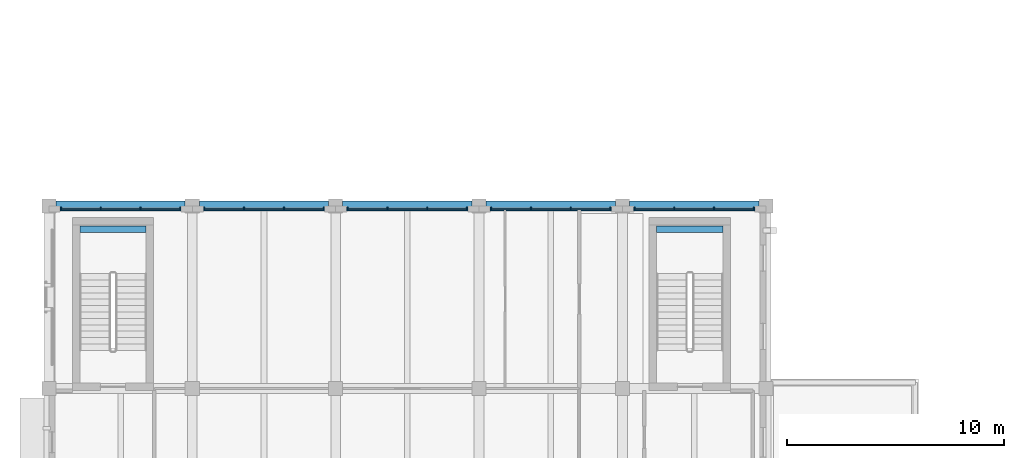
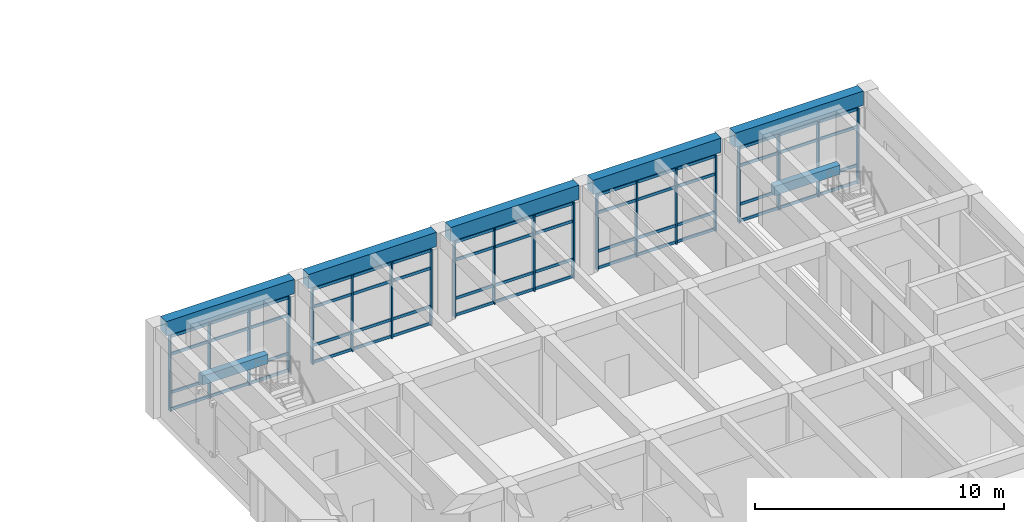
# One storey, part 6 of 50: 40 members, 7 beams, 5 elements without a shape of their own.
"""IFC4 building model written with IfcOpenShell, lengths in metres."""

from ifc_helpers import new_model, si_unit, direction, frame, origin, origin_2d, place, context, subcontext, project, spatial, rectangle, extrude, material, layer, layer_set, material_profile, profile_set, type_object, element, aggregate, save


model = new_model("IFC4")

# Units and contexts
model_context = context("Model", 3, precision=1e-05, world=origin(), true_north=direction((0.0, 1.0)))
body_context = subcontext(model_context, "Body", "Model", "MODEL_VIEW")
ifc_project = project(units=[si_unit("LENGTHUNIT", "METRE"), si_unit("AREAUNIT", "SQUARE_METRE"), si_unit("VOLUMEUNIT", "CUBIC_METRE"), si_unit("PLANEANGLEUNIT", "RADIAN"), si_unit("MASSUNIT", "GRAM", prefix="KILO")], contexts=[model_context])

# Site, building, storey
site_placement = place(None, origin())
site = spatial("IfcSite", under=ifc_project, at=site_placement, CompositionType="ELEMENT")
building_placement = place(site_placement, origin())
building = spatial("IfcBuilding", under=site, at=building_placement, Name="Kolvaren Faculty of Natural Sciences", CompositionType="ELEMENT")
storey_placement = place(building_placement, frame((0.0, 0.0, 15.0)))
storey = spatial("IfcBuildingStorey", under=building, at=storey_placement, Name="L03", CompositionType="ELEMENT", Elevation=15.0)

# Beams
ifc_material_1 = material(Name="Concrete C40/50", Category="concrete")
ifc_material_profile_1 = material_profile(ifc_material_1, rectangle(XDim=0.300048828125, YDim=0.449951171875, at=origin_2d()), Name="RC LNT 300x450")
ifc_profile_set_1 = profile_set([ifc_material_profile_1], Name="Concrete C40/50")
beam_type_1 = type_object("IfcBeamType", Name="CoreCouplingLintel_300x450", PredefinedType="LINTEL", material=ifc_profile_set_1)
beam_1_placement = place(storey_placement, frame((34.77490234375, 41.1298828125, 1.824951171875), z_axis=(1.0, 0.0, 0.0), x_axis=(0.0, 1.0, 0.0)))
element("IfcBeam", 1, at=beam_1_placement, inside=storey, type_object=beam_type_1, Name="L03 ST-4 half-landing support lintel", PredefinedType="LINTEL", context=body_context, shape_type="SweptSolid", body=[
    extrude(rectangle(XDim=0.300048828125, YDim=0.449951171875, at=origin_2d()), origin(), (0.0, 0.0, 1.0), 3.050048828125),
])
beam_2_placement = place(storey_placement, frame((8.22509765625, 41.1298828125, 1.824951171875), z_axis=(1.0, 0.0, 0.0), x_axis=(0.0, 1.0, 0.0)))
element("IfcBeam", 2, at=beam_2_placement, inside=storey, type_object=beam_type_1, Name="L03 ST-8 half-landing support lintel", PredefinedType="LINTEL", context=body_context, shape_type="SweptSolid", body=[
    extrude(rectangle(XDim=0.300048828125, YDim=0.449951171875, at=origin_2d()), origin(), (0.0, 0.0, 1.0), 3.0498046875),
])

# Curtain wall, members
ifc_material_2 = material(Name="Thermally broken anodised aluminium framing", Category="aluminium")
ifc_layer = layer(ifc_material_2, 0.179931640625)
ifc_layer_set = layer_set([ifc_layer], Name="Thermally broken anodised aluminium framing")
curtain_wall_type = type_object("IfcCurtainWallType", Name="CommonsCurtainWall_CW02", PredefinedType="NOTDEFINED", material=ifc_layer_set)
curtain_wall_1_placement = place(storey_placement, origin())
curtain_wall_1 = element("IfcCurtainWall", 3, at=curtain_wall_1_placement, inside=storey, type_object=curtain_wall_type, Name="L03 unitised curtain wall CW-02 (CW-L03-133)", PredefinedType="NOTDEFINED")
ifc_material_profile_2 = material_profile(ifc_material_2, rectangle(XDim=0.06005859375, YDim=0.179931640625, at=origin_2d()), Name="ALU MUL 60x180")
ifc_profile_set_2 = profile_set([ifc_material_profile_2], Name="Thermally broken anodised aluminium framing")
member_type_1 = type_object("IfcMemberType", Name="CurtainMullion_60x180", PredefinedType="MULLION", material=ifc_profile_set_2)
member_1_placement = place(storey_placement, frame((7.35009765625, 42.06005859375, 0.0), z_axis=(0.0, 0.0, 1.0), x_axis=(1.0, 0.0, 0.0)))
member_1 = element("IfcMember", 4, at=member_1_placement, type_object=member_type_1, Name="CW-L03-133 vertical mullion 1", PredefinedType="MULLION", context=body_context, shape_type="SweptSolid", body=[
    extrude(rectangle(XDim=0.06005859375, YDim=0.179931640625, at=origin_2d()), origin(), (0.0, 0.0, 1.0), 3.735107421875),
])
member_2_placement = place(storey_placement, frame((9.183349609375, 42.06005859375, 0.0), z_axis=(0.0, 0.0, 1.0), x_axis=(1.0, 0.0, 0.0)))
member_2 = element("IfcMember", 5, at=member_2_placement, type_object=member_type_1, Name="CW-L03-133 vertical mullion 2", PredefinedType="MULLION", context=body_context, shape_type="SweptSolid", body=[
    extrude(rectangle(XDim=0.06005859375, YDim=0.179931640625, at=origin_2d()), origin(), (0.0, 0.0, 1.0), 3.735107421875),
])
member_3_placement = place(storey_placement, frame((11.0166015625, 42.06005859375, 0.0), z_axis=(0.0, 0.0, 1.0), x_axis=(1.0, 0.0, 0.0)))
member_3 = element("IfcMember", 6, at=member_3_placement, type_object=member_type_1, Name="CW-L03-133 vertical mullion 3", PredefinedType="MULLION", context=body_context, shape_type="SweptSolid", body=[
    extrude(rectangle(XDim=0.06005859375, YDim=0.179931640625, at=origin_2d()), origin(), (0.0, 0.0, 1.0), 3.735107421875),
])
member_4_placement = place(storey_placement, frame((12.85009765625, 42.06005859375, 0.0), z_axis=(0.0, 0.0, 1.0), x_axis=(1.0, 0.0, 0.0)))
member_4 = element("IfcMember", 7, at=member_4_placement, type_object=member_type_1, Name="CW-L03-133 vertical mullion 4", PredefinedType="MULLION", context=body_context, shape_type="SweptSolid", body=[
    extrude(rectangle(XDim=0.06005859375, YDim=0.179931640625, at=origin_2d()), origin(), (0.0, 0.0, 1.0), 3.735107421875),
])

curtain_wall_2_placement = place(storey_placement, origin())
curtain_wall_2 = element("IfcCurtainWall", 8, at=curtain_wall_2_placement, inside=storey, type_object=curtain_wall_type, Name="L03 unitised curtain wall CW-02 (CW-L03-134)", PredefinedType="NOTDEFINED")
member_5_placement = place(storey_placement, frame((13.949951171875, 42.06005859375, 0.0), z_axis=(0.0, 0.0, 1.0), x_axis=(1.0, 0.0, 0.0)))
member_5 = element("IfcMember", 9, at=member_5_placement, type_object=member_type_1, Name="CW-L03-134 vertical mullion 1", PredefinedType="MULLION", context=body_context, shape_type="SweptSolid", body=[
    extrude(rectangle(XDim=0.06005859375, YDim=0.179931640625, at=origin_2d()), origin(), (0.0, 0.0, 1.0), 3.735107421875),
])
member_6_placement = place(storey_placement, frame((15.783203125, 42.06005859375, 0.0), z_axis=(0.0, 0.0, 1.0), x_axis=(1.0, 0.0, 0.0)))
member_6 = element("IfcMember", 10, at=member_6_placement, type_object=member_type_1, Name="CW-L03-134 vertical mullion 2", PredefinedType="MULLION", context=body_context, shape_type="SweptSolid", body=[
    extrude(rectangle(XDim=0.06005859375, YDim=0.179931640625, at=origin_2d()), origin(), (0.0, 0.0, 1.0), 3.735107421875),
])
member_7_placement = place(storey_placement, frame((17.61669921875, 42.06005859375, 0.0), z_axis=(0.0, 0.0, 1.0), x_axis=(1.0, 0.0, 0.0)))
member_7 = element("IfcMember", 11, at=member_7_placement, type_object=member_type_1, Name="CW-L03-134 vertical mullion 3", PredefinedType="MULLION", context=body_context, shape_type="SweptSolid", body=[
    extrude(rectangle(XDim=0.06005859375, YDim=0.179931640625, at=origin_2d()), origin(), (0.0, 0.0, 1.0), 3.735107421875),
])
member_8_placement = place(storey_placement, frame((19.449951171875, 42.06005859375, 0.0), z_axis=(0.0, 0.0, 1.0), x_axis=(1.0, 0.0, 0.0)))
member_8 = element("IfcMember", 12, at=member_8_placement, type_object=member_type_1, Name="CW-L03-134 vertical mullion 4", PredefinedType="MULLION", context=body_context, shape_type="SweptSolid", body=[
    extrude(rectangle(XDim=0.06005859375, YDim=0.179931640625, at=origin_2d()), origin(), (0.0, 0.0, 1.0), 3.735107421875),
])

curtain_wall_3_placement = place(storey_placement, origin())
curtain_wall_3 = element("IfcCurtainWall", 13, at=curtain_wall_3_placement, inside=storey, type_object=curtain_wall_type, Name="L03 unitised curtain wall CW-02 (CW-L03-135)", PredefinedType="NOTDEFINED")
member_9_placement = place(storey_placement, frame((20.550048828125, 42.06005859375, 0.0), z_axis=(0.0, 0.0, 1.0), x_axis=(1.0, 0.0, 0.0)))
member_9 = element("IfcMember", 14, at=member_9_placement, type_object=member_type_1, Name="CW-L03-135 vertical mullion 1", PredefinedType="MULLION", context=body_context, shape_type="SweptSolid", body=[
    extrude(rectangle(XDim=0.06005859375, YDim=0.179931640625, at=origin_2d()), origin(), (0.0, 0.0, 1.0), 3.735107421875),
])
member_10_placement = place(storey_placement, frame((22.38330078125, 42.06005859375, 0.0), z_axis=(0.0, 0.0, 1.0), x_axis=(1.0, 0.0, 0.0)))
member_10 = element("IfcMember", 15, at=member_10_placement, type_object=member_type_1, Name="CW-L03-135 vertical mullion 2", PredefinedType="MULLION", context=body_context, shape_type="SweptSolid", body=[
    extrude(rectangle(XDim=0.06005859375, YDim=0.179931640625, at=origin_2d()), origin(), (0.0, 0.0, 1.0), 3.735107421875),
])
member_11_placement = place(storey_placement, frame((24.216796875, 42.06005859375, 0.0), z_axis=(0.0, 0.0, 1.0), x_axis=(1.0, 0.0, 0.0)))
member_11 = element("IfcMember", 16, at=member_11_placement, type_object=member_type_1, Name="CW-L03-135 vertical mullion 3", PredefinedType="MULLION", context=body_context, shape_type="SweptSolid", body=[
    extrude(rectangle(XDim=0.06005859375, YDim=0.179931640625, at=origin_2d()), origin(), (0.0, 0.0, 1.0), 3.735107421875),
])
member_12_placement = place(storey_placement, frame((26.050048828125, 42.06005859375, 0.0), z_axis=(0.0, 0.0, 1.0), x_axis=(1.0, 0.0, 0.0)))
member_12 = element("IfcMember", 17, at=member_12_placement, type_object=member_type_1, Name="CW-L03-135 vertical mullion 4", PredefinedType="MULLION", context=body_context, shape_type="SweptSolid", body=[
    extrude(rectangle(XDim=0.06005859375, YDim=0.179931640625, at=origin_2d()), origin(), (0.0, 0.0, 1.0), 3.735107421875),
])

curtain_wall_4_placement = place(storey_placement, origin())
curtain_wall_4 = element("IfcCurtainWall", 18, at=curtain_wall_4_placement, inside=storey, type_object=curtain_wall_type, Name="L03 unitised curtain wall CW-02 (CW-L03-136)", PredefinedType="NOTDEFINED")
member_13_placement = place(storey_placement, frame((27.14990234375, 42.06005859375, 0.0), z_axis=(0.0, 0.0, 1.0), x_axis=(1.0, 0.0, 0.0)))
member_13 = element("IfcMember", 19, at=member_13_placement, type_object=member_type_1, Name="CW-L03-136 vertical mullion 1", PredefinedType="MULLION", context=body_context, shape_type="SweptSolid", body=[
    extrude(rectangle(XDim=0.06005859375, YDim=0.179931640625, at=origin_2d()), origin(), (0.0, 0.0, 1.0), 3.735107421875),
])
member_14_placement = place(storey_placement, frame((28.9833984375, 42.06005859375, 0.0), z_axis=(0.0, 0.0, 1.0), x_axis=(1.0, 0.0, 0.0)))
member_14 = element("IfcMember", 20, at=member_14_placement, type_object=member_type_1, Name="CW-L03-136 vertical mullion 2", PredefinedType="MULLION", context=body_context, shape_type="SweptSolid", body=[
    extrude(rectangle(XDim=0.06005859375, YDim=0.179931640625, at=origin_2d()), origin(), (0.0, 0.0, 1.0), 3.735107421875),
])
member_15_placement = place(storey_placement, frame((30.816650390625, 42.06005859375, 0.0), z_axis=(0.0, 0.0, 1.0), x_axis=(1.0, 0.0, 0.0)))
member_15 = element("IfcMember", 21, at=member_15_placement, type_object=member_type_1, Name="CW-L03-136 vertical mullion 3", PredefinedType="MULLION", context=body_context, shape_type="SweptSolid", body=[
    extrude(rectangle(XDim=0.06005859375, YDim=0.179931640625, at=origin_2d()), origin(), (0.0, 0.0, 1.0), 3.735107421875),
])
member_16_placement = place(storey_placement, frame((32.64990234375, 42.06005859375, 0.0), z_axis=(0.0, 0.0, 1.0), x_axis=(1.0, 0.0, 0.0)))
member_16 = element("IfcMember", 22, at=member_16_placement, type_object=member_type_1, Name="CW-L03-136 vertical mullion 4", PredefinedType="MULLION", context=body_context, shape_type="SweptSolid", body=[
    extrude(rectangle(XDim=0.06005859375, YDim=0.179931640625, at=origin_2d()), origin(), (0.0, 0.0, 1.0), 3.735107421875),
])

curtain_wall_5_placement = place(storey_placement, origin())
curtain_wall_5 = element("IfcCurtainWall", 23, at=curtain_wall_5_placement, inside=storey, type_object=curtain_wall_type, Name="L03 unitised curtain wall CW-02 (CW-L03-137)", PredefinedType="NOTDEFINED")
member_17_placement = place(storey_placement, frame((33.75, 42.06005859375, 0.0), z_axis=(0.0, 0.0, 1.0), x_axis=(1.0, 0.0, 0.0)))
member_17 = element("IfcMember", 24, at=member_17_placement, type_object=member_type_1, Name="CW-L03-137 vertical mullion 1", PredefinedType="MULLION", context=body_context, shape_type="SweptSolid", body=[
    extrude(rectangle(XDim=0.06005859375, YDim=0.179931640625, at=origin_2d()), origin(), (0.0, 0.0, 1.0), 3.735107421875),
])
member_18_placement = place(storey_placement, frame((35.583251953125, 42.06005859375, 0.0), z_axis=(0.0, 0.0, 1.0), x_axis=(1.0, 0.0, 0.0)))
member_18 = element("IfcMember", 25, at=member_18_placement, type_object=member_type_1, Name="CW-L03-137 vertical mullion 2", PredefinedType="MULLION", context=body_context, shape_type="SweptSolid", body=[
    extrude(rectangle(XDim=0.06005859375, YDim=0.179931640625, at=origin_2d()), origin(), (0.0, 0.0, 1.0), 3.735107421875),
])
member_19_placement = place(storey_placement, frame((37.416748046875, 42.06005859375, 0.0), z_axis=(0.0, 0.0, 1.0), x_axis=(1.0, 0.0, 0.0)))
member_19 = element("IfcMember", 26, at=member_19_placement, type_object=member_type_1, Name="CW-L03-137 vertical mullion 3", PredefinedType="MULLION", context=body_context, shape_type="SweptSolid", body=[
    extrude(rectangle(XDim=0.06005859375, YDim=0.179931640625, at=origin_2d()), origin(), (0.0, 0.0, 1.0), 3.735107421875),
])
member_20_placement = place(storey_placement, frame((39.25, 42.06005859375, 0.0), z_axis=(0.0, 0.0, 1.0), x_axis=(1.0, 0.0, 0.0)))
member_20 = element("IfcMember", 27, at=member_20_placement, type_object=member_type_1, Name="CW-L03-137 vertical mullion 4", PredefinedType="MULLION", context=body_context, shape_type="SweptSolid", body=[
    extrude(rectangle(XDim=0.06005859375, YDim=0.179931640625, at=origin_2d()), origin(), (0.0, 0.0, 1.0), 3.735107421875),
])

# Member
ifc_material_profile_3 = material_profile(ifc_material_2, rectangle(XDim=0.06005859375, YDim=0.139892578125, at=origin_2d()), Name="ALU TRN 60x140")
ifc_profile_set_3 = profile_set([ifc_material_profile_3], Name="Thermally broken anodised aluminium framing")
member_type_2 = type_object("IfcMemberType", Name="CurtainTransom_60x140", PredefinedType="USERDEFINED", material=ifc_profile_set_3)
member_21_placement = place(storey_placement, frame((7.35009765625, 42.06005859375, 0.080078125), z_axis=(1.0, 0.0, 0.0), x_axis=(0.0, 1.0, 0.0)))
member_21 = element("IfcMember", 28, at=member_21_placement, type_object=member_type_2, Name="CW-L03-133 horizontal transom 1", ObjectType="TRANSOM", PredefinedType="USERDEFINED", context=body_context, shape_type="SweptSolid", body=[
    extrude(rectangle(XDim=0.06005859375, YDim=0.139892578125, at=origin_2d()), origin(), (0.0, 0.0, 1.0), 5.5),
])

member_22_placement = place(storey_placement, frame((7.35009765625, 42.06005859375, 0.89990234375), z_axis=(1.0, 0.0, 0.0), x_axis=(0.0, 1.0, 0.0)))
member_22 = element("IfcMember", 29, at=member_22_placement, type_object=member_type_2, Name="CW-L03-133 horizontal transom 2", ObjectType="TRANSOM", PredefinedType="USERDEFINED", context=body_context, shape_type="SweptSolid", body=[
    extrude(rectangle(XDim=0.06005859375, YDim=0.139892578125, at=origin_2d()), origin(), (0.0, 0.0, 1.0), 5.5),
])

member_23_placement = place(storey_placement, frame((7.35009765625, 42.06005859375, 2.784912109375), z_axis=(1.0, 0.0, 0.0), x_axis=(0.0, 1.0, 0.0)))
member_23 = element("IfcMember", 30, at=member_23_placement, type_object=member_type_2, Name="CW-L03-133 horizontal transom 3", ObjectType="TRANSOM", PredefinedType="USERDEFINED", context=body_context, shape_type="SweptSolid", body=[
    extrude(rectangle(XDim=0.06005859375, YDim=0.139892578125, at=origin_2d()), origin(), (0.0, 0.0, 1.0), 5.5),
])

member_24_placement = place(storey_placement, frame((7.35009765625, 42.06005859375, 3.655029296875), z_axis=(1.0, 0.0, 0.0), x_axis=(0.0, 1.0, 0.0)))
member_24 = element("IfcMember", 31, at=member_24_placement, type_object=member_type_2, Name="CW-L03-133 horizontal transom 4", ObjectType="TRANSOM", PredefinedType="USERDEFINED", context=body_context, shape_type="SweptSolid", body=[
    extrude(rectangle(XDim=0.06005859375, YDim=0.139892578125, at=origin_2d()), origin(), (0.0, 0.0, 1.0), 5.5),
])

aggregate(curtain_wall_1, [member_1, member_2, member_3, member_4, member_21, member_22, member_23, member_24])

member_25_placement = place(storey_placement, frame((13.949951171875, 42.06005859375, 0.080078125), z_axis=(1.0, 0.0, 0.0), x_axis=(0.0, 1.0, 0.0)))
member_25 = element("IfcMember", 32, at=member_25_placement, type_object=member_type_2, Name="CW-L03-134 horizontal transom 1", ObjectType="TRANSOM", PredefinedType="USERDEFINED", context=body_context, shape_type="SweptSolid", body=[
    extrude(rectangle(XDim=0.06005859375, YDim=0.139892578125, at=origin_2d()), origin(), (0.0, 0.0, 1.0), 5.5),
])

member_26_placement = place(storey_placement, frame((13.949951171875, 42.06005859375, 0.89990234375), z_axis=(1.0, 0.0, 0.0), x_axis=(0.0, 1.0, 0.0)))
member_26 = element("IfcMember", 33, at=member_26_placement, type_object=member_type_2, Name="CW-L03-134 horizontal transom 2", ObjectType="TRANSOM", PredefinedType="USERDEFINED", context=body_context, shape_type="SweptSolid", body=[
    extrude(rectangle(XDim=0.06005859375, YDim=0.139892578125, at=origin_2d()), origin(), (0.0, 0.0, 1.0), 5.5),
])

member_27_placement = place(storey_placement, frame((13.949951171875, 42.06005859375, 2.784912109375), z_axis=(1.0, 0.0, 0.0), x_axis=(0.0, 1.0, 0.0)))
member_27 = element("IfcMember", 34, at=member_27_placement, type_object=member_type_2, Name="CW-L03-134 horizontal transom 3", ObjectType="TRANSOM", PredefinedType="USERDEFINED", context=body_context, shape_type="SweptSolid", body=[
    extrude(rectangle(XDim=0.06005859375, YDim=0.139892578125, at=origin_2d()), origin(), (0.0, 0.0, 1.0), 5.5),
])

member_28_placement = place(storey_placement, frame((13.949951171875, 42.06005859375, 3.655029296875), z_axis=(1.0, 0.0, 0.0), x_axis=(0.0, 1.0, 0.0)))
member_28 = element("IfcMember", 35, at=member_28_placement, type_object=member_type_2, Name="CW-L03-134 horizontal transom 4", ObjectType="TRANSOM", PredefinedType="USERDEFINED", context=body_context, shape_type="SweptSolid", body=[
    extrude(rectangle(XDim=0.06005859375, YDim=0.139892578125, at=origin_2d()), origin(), (0.0, 0.0, 1.0), 5.5),
])

aggregate(curtain_wall_2, [member_5, member_6, member_7, member_8, member_25, member_26, member_27, member_28])

member_29_placement = place(storey_placement, frame((20.550048828125, 42.06005859375, 0.080078125), z_axis=(1.0, 0.0, 0.0), x_axis=(0.0, 1.0, 0.0)))
member_29 = element("IfcMember", 36, at=member_29_placement, type_object=member_type_2, Name="CW-L03-135 horizontal transom 1", ObjectType="TRANSOM", PredefinedType="USERDEFINED", context=body_context, shape_type="SweptSolid", body=[
    extrude(rectangle(XDim=0.06005859375, YDim=0.139892578125, at=origin_2d()), origin(), (0.0, 0.0, 1.0), 5.5),
])

member_30_placement = place(storey_placement, frame((20.550048828125, 42.06005859375, 0.89990234375), z_axis=(1.0, 0.0, 0.0), x_axis=(0.0, 1.0, 0.0)))
member_30 = element("IfcMember", 37, at=member_30_placement, type_object=member_type_2, Name="CW-L03-135 horizontal transom 2", ObjectType="TRANSOM", PredefinedType="USERDEFINED", context=body_context, shape_type="SweptSolid", body=[
    extrude(rectangle(XDim=0.06005859375, YDim=0.139892578125, at=origin_2d()), origin(), (0.0, 0.0, 1.0), 5.5),
])

member_31_placement = place(storey_placement, frame((20.550048828125, 42.06005859375, 2.784912109375), z_axis=(1.0, 0.0, 0.0), x_axis=(0.0, 1.0, 0.0)))
member_31 = element("IfcMember", 38, at=member_31_placement, type_object=member_type_2, Name="CW-L03-135 horizontal transom 3", ObjectType="TRANSOM", PredefinedType="USERDEFINED", context=body_context, shape_type="SweptSolid", body=[
    extrude(rectangle(XDim=0.06005859375, YDim=0.139892578125, at=origin_2d()), origin(), (0.0, 0.0, 1.0), 5.5),
])

member_32_placement = place(storey_placement, frame((20.550048828125, 42.06005859375, 3.655029296875), z_axis=(1.0, 0.0, 0.0), x_axis=(0.0, 1.0, 0.0)))
member_32 = element("IfcMember", 39, at=member_32_placement, type_object=member_type_2, Name="CW-L03-135 horizontal transom 4", ObjectType="TRANSOM", PredefinedType="USERDEFINED", context=body_context, shape_type="SweptSolid", body=[
    extrude(rectangle(XDim=0.06005859375, YDim=0.139892578125, at=origin_2d()), origin(), (0.0, 0.0, 1.0), 5.5),
])

aggregate(curtain_wall_3, [member_9, member_10, member_11, member_12, member_29, member_30, member_31, member_32])

member_33_placement = place(storey_placement, frame((27.14990234375, 42.06005859375, 0.080078125), z_axis=(1.0, 0.0, 0.0), x_axis=(0.0, 1.0, 0.0)))
member_33 = element("IfcMember", 40, at=member_33_placement, type_object=member_type_2, Name="CW-L03-136 horizontal transom 1", ObjectType="TRANSOM", PredefinedType="USERDEFINED", context=body_context, shape_type="SweptSolid", body=[
    extrude(rectangle(XDim=0.06005859375, YDim=0.139892578125, at=origin_2d()), origin(), (0.0, 0.0, 1.0), 5.5),
])

member_34_placement = place(storey_placement, frame((27.14990234375, 42.06005859375, 0.89990234375), z_axis=(1.0, 0.0, 0.0), x_axis=(0.0, 1.0, 0.0)))
member_34 = element("IfcMember", 41, at=member_34_placement, type_object=member_type_2, Name="CW-L03-136 horizontal transom 2", ObjectType="TRANSOM", PredefinedType="USERDEFINED", context=body_context, shape_type="SweptSolid", body=[
    extrude(rectangle(XDim=0.06005859375, YDim=0.139892578125, at=origin_2d()), origin(), (0.0, 0.0, 1.0), 5.5),
])

member_35_placement = place(storey_placement, frame((27.14990234375, 42.06005859375, 2.784912109375), z_axis=(1.0, 0.0, 0.0), x_axis=(0.0, 1.0, 0.0)))
member_35 = element("IfcMember", 42, at=member_35_placement, type_object=member_type_2, Name="CW-L03-136 horizontal transom 3", ObjectType="TRANSOM", PredefinedType="USERDEFINED", context=body_context, shape_type="SweptSolid", body=[
    extrude(rectangle(XDim=0.06005859375, YDim=0.139892578125, at=origin_2d()), origin(), (0.0, 0.0, 1.0), 5.5),
])

member_36_placement = place(storey_placement, frame((27.14990234375, 42.06005859375, 3.655029296875), z_axis=(1.0, 0.0, 0.0), x_axis=(0.0, 1.0, 0.0)))
member_36 = element("IfcMember", 43, at=member_36_placement, type_object=member_type_2, Name="CW-L03-136 horizontal transom 4", ObjectType="TRANSOM", PredefinedType="USERDEFINED", context=body_context, shape_type="SweptSolid", body=[
    extrude(rectangle(XDim=0.06005859375, YDim=0.139892578125, at=origin_2d()), origin(), (0.0, 0.0, 1.0), 5.5),
])

aggregate(curtain_wall_4, [member_13, member_14, member_15, member_16, member_33, member_34, member_35, member_36])

member_37_placement = place(storey_placement, frame((33.75, 42.06005859375, 0.080078125), z_axis=(1.0, 0.0, 0.0), x_axis=(0.0, 1.0, 0.0)))
member_37 = element("IfcMember", 44, at=member_37_placement, type_object=member_type_2, Name="CW-L03-137 horizontal transom 1", ObjectType="TRANSOM", PredefinedType="USERDEFINED", context=body_context, shape_type="SweptSolid", body=[
    extrude(rectangle(XDim=0.06005859375, YDim=0.139892578125, at=origin_2d()), origin(), (0.0, 0.0, 1.0), 5.5),
])

member_38_placement = place(storey_placement, frame((33.75, 42.06005859375, 0.89990234375), z_axis=(1.0, 0.0, 0.0), x_axis=(0.0, 1.0, 0.0)))
member_38 = element("IfcMember", 45, at=member_38_placement, type_object=member_type_2, Name="CW-L03-137 horizontal transom 2", ObjectType="TRANSOM", PredefinedType="USERDEFINED", context=body_context, shape_type="SweptSolid", body=[
    extrude(rectangle(XDim=0.06005859375, YDim=0.139892578125, at=origin_2d()), origin(), (0.0, 0.0, 1.0), 5.5),
])

member_39_placement = place(storey_placement, frame((33.75, 42.06005859375, 2.784912109375), z_axis=(1.0, 0.0, 0.0), x_axis=(0.0, 1.0, 0.0)))
member_39 = element("IfcMember", 46, at=member_39_placement, type_object=member_type_2, Name="CW-L03-137 horizontal transom 3", ObjectType="TRANSOM", PredefinedType="USERDEFINED", context=body_context, shape_type="SweptSolid", body=[
    extrude(rectangle(XDim=0.06005859375, YDim=0.139892578125, at=origin_2d()), origin(), (0.0, 0.0, 1.0), 5.5),
])

member_40_placement = place(storey_placement, frame((33.75, 42.06005859375, 3.655029296875), z_axis=(1.0, 0.0, 0.0), x_axis=(0.0, 1.0, 0.0)))
member_40 = element("IfcMember", 47, at=member_40_placement, type_object=member_type_2, Name="CW-L03-137 horizontal transom 4", ObjectType="TRANSOM", PredefinedType="USERDEFINED", context=body_context, shape_type="SweptSolid", body=[
    extrude(rectangle(XDim=0.06005859375, YDim=0.139892578125, at=origin_2d()), origin(), (0.0, 0.0, 1.0), 5.5),
])

aggregate(curtain_wall_5, [member_17, member_18, member_19, member_20, member_37, member_38, member_39, member_40])

# Beams
ifc_material_3 = material(Name="Concrete C35/45", Category="concrete")
ifc_material_profile_4 = material_profile(ifc_material_3, rectangle(XDim=0.449951171875, YDim=0.699951171875, at=origin_2d()), Name="RC SP 450x700")
ifc_profile_set_4 = profile_set([ifc_material_profile_4], Name="Concrete C35/45")
beam_type_2 = type_object("IfcBeamType", Name="PerimeterSpandrel_450x700", PredefinedType="SPANDREL", material=ifc_profile_set_4)
for number, where, z_axis, x_axis, name in (
    (48, (7.125, 42.199951171875, 4.14990234375), (1.0, 0.0, 0.0), (0.0, 1.0, 0.0), "L03 spandrel SP-70 on grid F"),
    (49, (13.72509765625, 42.199951171875, 4.14990234375), (1.0, 0.0, 0.0), (0.0, 1.0, 0.0), "L03 spandrel SP-70 on grid F"),
    (50, (20.324951171875, 42.199951171875, 4.14990234375), (1.0, 0.0, 0.0), (0.0, 1.0, 0.0), "L03 spandrel SP-70 on grid F"),
    (51, (26.925048828125, 42.199951171875, 4.14990234375), (1.0, 0.0, 0.0), (0.0, 1.0, 0.0), "L03 spandrel SP-70 on grid F"),
):
    element("IfcBeam", number, at=place(storey_placement, frame(where, z_axis=z_axis, x_axis=x_axis)), inside=storey, type_object=beam_type_2, Name=name, PredefinedType="SPANDREL", context=body_context, shape_type="SweptSolid", body=[
        extrude(rectangle(XDim=0.449951171875, YDim=0.699951171875, at=origin_2d()), origin(), (0.0, 0.0, 1.0), 5.949951171875),
    ])
beam_3_placement = place(storey_placement, frame((33.52490234375, 42.199951171875, 4.14990234375), z_axis=(1.0, 0.0, 0.0), x_axis=(0.0, 1.0, 0.0)))
element("IfcBeam", 52, at=beam_3_placement, inside=storey, type_object=beam_type_2, Name="L03 spandrel SP-70 on grid F", PredefinedType="SPANDREL", context=body_context, shape_type="SweptSolid", body=[
    extrude(rectangle(XDim=0.449951171875, YDim=0.699951171875, at=origin_2d()), origin(), (0.0, 0.0, 1.0), 5.9501953125),
])

save(model, "model.ifc")
